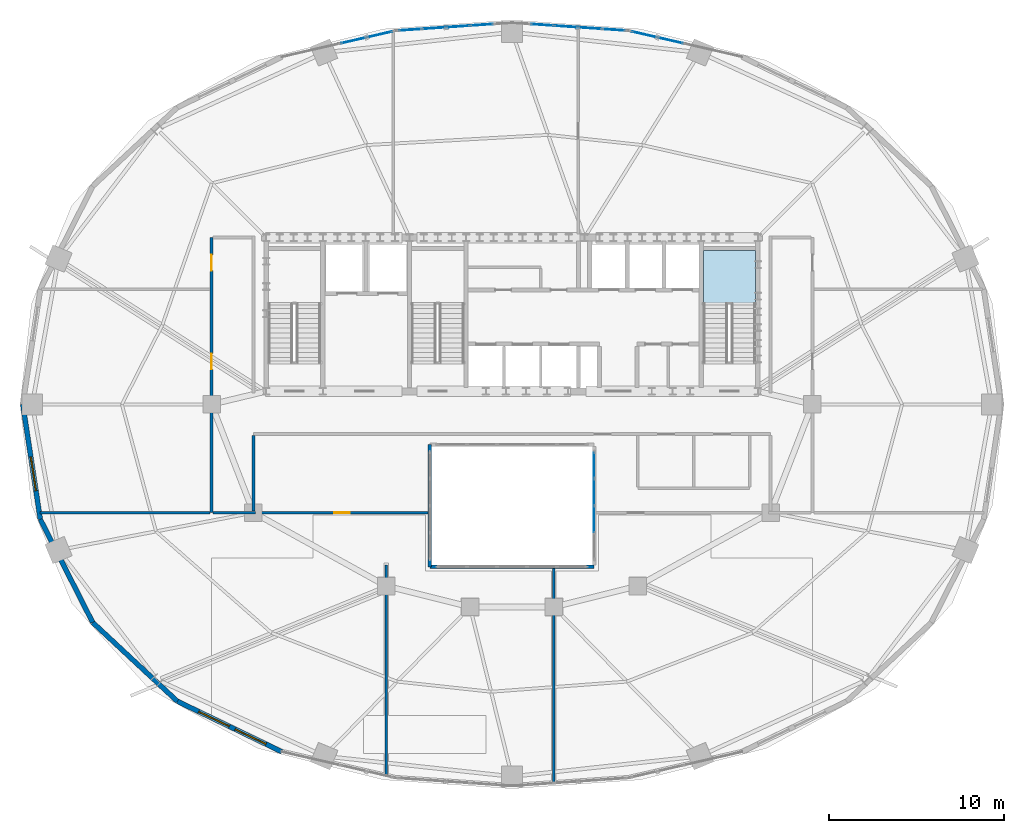
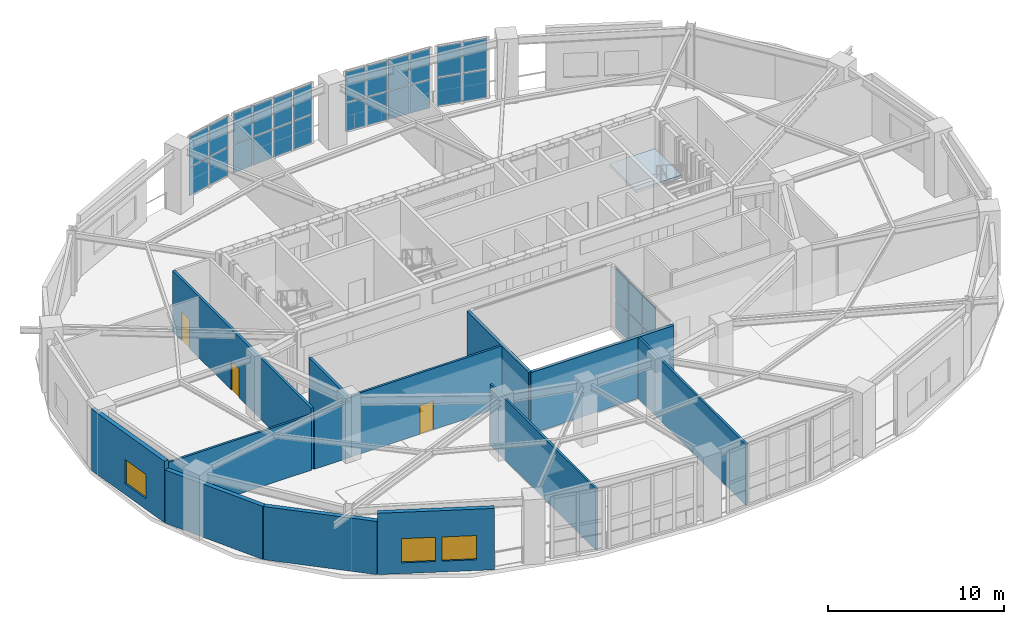
# One storey, part 10 of 16: 30 plates, 13 walls, 3 doors, 3 windows, 1 slab, 6 openings, 6 elements without a shape of their own.
"""IFC4 building model written with IfcOpenShell, lengths in metres."""

import ifcopenshell
import ifcopenshell.guid

model = None  # the IFC model being written
_history = None  # IfcOwnerHistory: only IFC2X3 demands one
_inside = {}  # id of a spatial element -> (the spatial element, [elements in it])
_under = {}  # id of a project, library or spatial element -> (it, [spatial elements below it])
_declared = {}  # id of a project -> (the project, [libraries it declares])
_typed = {}  # id of a type object -> (the type object, [elements of that type])
_made_of = {}  # id of a material, layer set ... -> (it, [elements and type objects made of it])


def new_model(schema):
    """Start an empty IFC model of exactly this schema.

    Asked for "IFC4X3", IfcOpenShell would pick the latest addendum, in which some entities
    have other attributes; the version numbers below select the first issue.
    IFC2X3 requires an IfcOwnerHistory on every rooted entity: one is made here for all.
    """
    global model, _history
    if schema == "IFC4X3":
        model = ifcopenshell.file(schema_version=(4, 3, 0, 0))
    else:
        model = ifcopenshell.file(schema=schema)
    _inside.clear()
    _under.clear()
    _declared.clear()
    _typed.clear()
    _made_of.clear()
    _history = None
    if model.schema == "IFC2X3":
        org = make("IfcOrganization", Name="unknown")
        user = make(
            "IfcPersonAndOrganization",
            ThePerson=make("IfcPerson", FamilyName="unknown"),
            TheOrganization=org,
        )
        app = make(
            "IfcApplication",
            ApplicationDeveloper=org,
            Version="unknown",
            ApplicationFullName="unknown",
            ApplicationIdentifier="unknown",
        )
        _history = make(
            "IfcOwnerHistory",
            OwningUser=user,
            OwningApplication=app,
            ChangeAction="ADDED",
            CreationDate=0,
        )
    return model


def make(cls, **values):
    """One entity of the class cls with the attributes given. An attribute that is None is left unset."""
    return model.create_entity(
        cls, **{name: value for name, value in values.items() if value is not None}
    )


def rooted(cls, **values):
    """An entity with a GlobalId (a new one), such as an element, a storey or a relation."""
    return make(cls, GlobalId=ifcopenshell.guid.new(), OwnerHistory=_history, **values)


def si_unit(unit_type, name, prefix=None):
    """IfcSIUnit, for example si_unit("LENGTHUNIT", "METRE", prefix="MILLI")."""
    return make("IfcSIUnit", UnitType=unit_type, Prefix=prefix, Name=name)


def assignment(units):
    """IfcUnitAssignment: the units of a project."""
    return None if units is None else make("IfcUnitAssignment", Units=units)


def point(xyz):
    """IfcCartesianPoint."""
    return None if xyz is None else make("IfcCartesianPoint", Coordinates=xyz)


def direction(xyz):
    """IfcDirection."""
    return None if xyz is None else make("IfcDirection", DirectionRatios=xyz)


def frame(location, z_axis=None, x_axis=None):
    """IfcAxis2Placement3D, a coordinate frame: its origin and axes. An axis left out is left unset."""
    return make(
        "IfcAxis2Placement3D",
        Location=point(location),
        Axis=direction(z_axis),
        RefDirection=direction(x_axis),
    )


def frame_2d(location, x_axis=None):
    """IfcAxis2Placement2D, a coordinate frame in the plane: its origin and x axis."""
    return make(
        "IfcAxis2Placement2D", Location=point(location), RefDirection=direction(x_axis)
    )


def origin():
    """The frame at (0, 0, 0) with its axes left unset."""
    return frame((0.0, 0.0, 0.0))


def origin_2d():
    """The frame at (0, 0) in the plane with its x axis left unset."""
    return frame_2d((0.0, 0.0))


def place(relative_to, where):
    """IfcLocalPlacement: puts the frame where relative to a parent placement (None: the world)."""
    return make(
        "IfcLocalPlacement", PlacementRelTo=relative_to, RelativePlacement=where
    )


def context(
    kind, dimensions, precision=None, world=None, true_north=None, identifier=None
):
    """IfcGeometricRepresentationContext, for example the 3D "Model" context."""
    return make(
        "IfcGeometricRepresentationContext",
        ContextIdentifier=identifier,
        ContextType=kind,
        CoordinateSpaceDimension=dimensions,
        Precision=precision,
        WorldCoordinateSystem=world,
        TrueNorth=true_north,
    )


def subcontext(parent, identifier, kind, view, scale=None):
    """IfcGeometricRepresentationSubContext, for example "Body" below "Model"."""
    return make(
        "IfcGeometricRepresentationSubContext",
        ContextIdentifier=identifier,
        ContextType=kind,
        ParentContext=parent,
        TargetScale=scale,
        TargetView=view,
    )


def project(units=None, contexts=None):
    """IfcProject with its units and contexts."""
    return rooted(
        "IfcProject",
        Name="project",
        RepresentationContexts=contexts,
        UnitsInContext=assignment(units),
    )


def spatial(cls, under=None, at=None, **own):
    """A site, building, storey or space (cls), placed at a placement, below another one or the project."""
    s = rooted(cls, ObjectPlacement=at, **own)
    if under is not None:
        _under.setdefault(under.id(), (under, []))[1].append(s)
    return s


def polyline(points):
    """IfcPolyline through the points."""
    return make("IfcPolyline", Points=[point(p) for p in points])


def profile(cls, at=None, kind="AREA", **sizes):
    """A parametric profile (cls). Its sizes go by their IFC names, for example OverallWidth=200.0."""
    return make(cls, ProfileType=kind, Position=at, **sizes)


def rectangle(**sizes):
    """IfcRectangleProfileDef."""
    return profile("IfcRectangleProfileDef", **sizes)


def outline(outer, holes=None, kind="AREA"):
    """IfcArbitraryClosedProfileDef: a profile drawn as a closed curve; with holes, ...WithVoids."""
    if holes is None:
        return make("IfcArbitraryClosedProfileDef", ProfileType=kind, OuterCurve=outer)
    return make(
        "IfcArbitraryProfileDefWithVoids",
        ProfileType=kind,
        OuterCurve=outer,
        InnerCurves=holes,
    )


def extrude(swept, where, along, depth):
    """IfcExtrudedAreaSolid: the profile swept, set in the frame where, extruded along a direction by depth."""
    return make(
        "IfcExtrudedAreaSolid",
        SweptArea=swept,
        Position=where,
        ExtrudedDirection=direction(along),
        Depth=depth,
    )


def shape(context_of_items, identifier, shape_type, items):
    """IfcShapeRepresentation: the items that make up one representation, for example the "Body"."""
    return make(
        "IfcShapeRepresentation",
        ContextOfItems=context_of_items,
        RepresentationIdentifier=identifier,
        RepresentationType=shape_type,
        Items=items,
    )


def material(Name=None, Category=None):
    """IfcMaterial."""
    return make("IfcMaterial", Name=Name, Category=Category)


def layer(
    of_material, thickness, ventilated=None, Name=None, Category=None, Priority=None
):
    """IfcMaterialLayer: one layer of a wall or slab, of a material (None: an air gap)."""
    return make(
        "IfcMaterialLayer",
        Material=of_material,
        LayerThickness=thickness,
        IsVentilated=ventilated,
        Name=Name,
        Category=Category,
        Priority=Priority,
    )


def layer_set(layers, Name=None):
    """IfcMaterialLayerSet."""
    return make("IfcMaterialLayerSet", MaterialLayers=layers, LayerSetName=Name)


def made_of(thing, what):
    """Note that an element or type object is made of a material, layer set ...; save() writes the relation."""
    if what is not None:
        _made_of.setdefault(what.id(), (what, []))[1].append(thing)
    return thing


def type_object(cls, material=None, **own):
    """A type object (cls), such as IfcWallType, which elements share."""
    return made_of(rooted(cls, **own), material)


def element(
    cls,
    number,
    at=None,
    inside=None,
    cuts=None,
    type_object=None,
    material=None,
    context=None,
    identifier="Body",
    shape_type=None,
    held_by="IfcProductDefinitionShape",
    body=None,
    shapes=None,
    **own,
):
    """One element of the class cls, such as IfcWall. Its Tag is "e" and its number.

    at: its placement. inside: the storey or other place that contains it. cuts: it is an
    opening in that element (IfcRelVoidsElement). A single representation is given by context,
    identifier, shape_type and body (its items); several are given by shapes. held_by: the class
    of the entity that holds the representations. save() writes the other relations.
    """
    e = rooted(cls, Tag="e%d" % number, ObjectPlacement=at, **own)
    if body is not None:
        shapes = [shape(context, identifier, shape_type, body)]
    if shapes is not None:
        e.Representation = make(held_by, Representations=shapes)
    if inside is not None:
        _inside.setdefault(inside.id(), (inside, []))[1].append(e)
    if cuts is not None:
        rooted(
            "IfcRelVoidsElement", RelatingBuildingElement=cuts, RelatedOpeningElement=e
        )
    if type_object is not None:
        _typed.setdefault(type_object.id(), (type_object, []))[1].append(e)
    return made_of(e, material)


def fill(opening, filler):
    """IfcRelFillsElement: the door or window that sits in an opening."""
    return rooted(
        "IfcRelFillsElement",
        RelatingOpeningElement=opening,
        RelatedBuildingElement=filler,
    )


def aggregate(whole, parts):
    """IfcRelAggregates: a whole, such as a stair, and the parts it consists of."""
    return rooted("IfcRelAggregates", RelatingObject=whole, RelatedObjects=parts)


def save(model, path):
    """Write the relations noted so far, then the file.

    IfcRelAggregates (storeys below a building ...), IfcRelContainedInSpatialStructure (elements
    in a storey), IfcRelDefinesByType, IfcRelAssociatesMaterial and IfcRelDeclares: one each for
    every whole, place, type object, material and project.
    """
    for whole, parts in _under.values():
        aggregate(whole, parts)
    for where, things in _inside.values():
        rooted(
            "IfcRelContainedInSpatialStructure",
            RelatedElements=things,
            RelatingStructure=where,
        )
    for kind, things in _typed.values():
        rooted("IfcRelDefinesByType", RelatedObjects=things, RelatingType=kind)
    for what, things in _made_of.values():
        rooted("IfcRelAssociatesMaterial", RelatedObjects=things, RelatingMaterial=what)
    for by, libraries in _declared.values():
        rooted("IfcRelDeclares", RelatingContext=by, RelatedDefinitions=libraries)
    model.write(path)


model = new_model("IFC4")

# Units and contexts
model_context = context("Model", 3, precision=1e-05, world=origin(), true_north=direction((0.0, 1.0)))
body_context = subcontext(model_context, "Body", "Model", "MODEL_VIEW")
ifc_project = project(units=[si_unit("LENGTHUNIT", "METRE"), si_unit("AREAUNIT", "SQUARE_METRE"), si_unit("VOLUMEUNIT", "CUBIC_METRE"), si_unit("PLANEANGLEUNIT", "RADIAN"), si_unit("MASSUNIT", "GRAM", prefix="KILO")], contexts=[model_context])

# Site, building, storey
site_placement = place(None, origin())
site = spatial("IfcSite", under=ifc_project, at=site_placement, CompositionType="ELEMENT")
building_placement = place(site_placement, origin())
building = spatial("IfcBuilding", under=site, at=building_placement, Name="Haldorwick Loom Tower", CompositionType="ELEMENT")
storey_placement = place(building_placement, frame((0.0, 0.0, 200.35009765625)))
storey = spatial("IfcBuildingStorey", under=building, at=storey_placement, Name="L54", CompositionType="ELEMENT", Elevation=200.35009765625)

# Curtain wall, plates
ifc_material_1 = material(Name="Thermally Broken Anodized Aluminium Curtain Wall Framing", Category="aluminium")
curtain_wall_type_1 = type_object("IfcCurtainWallType", Name="ARC-CW-03", PredefinedType="NOTDEFINED", material=ifc_material_1)
curtain_wall_1_placement = place(storey_placement, origin())
curtain_wall_1 = element("IfcCurtainWall", 1, at=curtain_wall_1_placement, inside=storey, type_object=curtain_wall_type_1, Name="L54 Atrium Glazed Screen E", PredefinedType="NOTDEFINED")
ifc_material_2 = material(Name="Triple-Glazed Low-E Argon Insulated Glazing Unit", Category="glass")
ifc_layer_1 = layer(ifc_material_2, 0.04296875, Name="Triple-Glazed Low-E Argon Insulated Glazing Unit", Category="glass")
ifc_layer_set_1 = layer_set([ifc_layer_1], Name="Triple-Glazed Low-E Argon Insulated Glazing Unit")
plate_type_1 = type_object("IfcPlateType", Name="ARC-CWP-03", PredefinedType="CURTAIN_PANEL", material=ifc_layer_set_1)
plate_1_placement = place(storey_placement, frame((40.699951171875, 22.508544921875, 0.06591796875), z_axis=(0.0, 0.0, 1.0), x_axis=(0.0, -1.0, 0.0)))
plate_1 = element("IfcPlate", 2, at=plate_1_placement, type_object=plate_type_1, Name="CW-03 panel 1.1", PredefinedType="CURTAIN_PANEL", context=body_context, shape_type="SweptSolid", body=[
    extrude(rectangle(XDim=1.450927734375, YDim=0.04296875, at=origin_2d()), origin(), (0.0, 0.0, 1.0), 1.90087890625),
])
plate_2_placement = place(storey_placement, frame((40.699951171875, 22.508544921875, 2.03271484375), z_axis=(0.0, 0.0, 1.0), x_axis=(0.0, -1.0, 0.0)))
plate_2 = element("IfcPlate", 3, at=plate_2_placement, type_object=plate_type_1, Name="CW-03 panel 1.2", PredefinedType="CURTAIN_PANEL", context=body_context, shape_type="SweptSolid", body=[
    extrude(rectangle(XDim=1.450927734375, YDim=0.04296875, at=origin_2d()), origin(), (0.0, 0.0, 1.0), 2.160888671875),
])
plate_3_placement = place(storey_placement, frame((40.699951171875, 20.97509765625, 0.06591796875), z_axis=(0.0, 0.0, 1.0), x_axis=(0.0, -1.0, 0.0)))
plate_3 = element("IfcPlate", 4, at=plate_3_placement, type_object=plate_type_1, Name="CW-03 panel 2.1", PredefinedType="CURTAIN_PANEL", context=body_context, shape_type="SweptSolid", body=[
    extrude(rectangle(XDim=1.48388671875, YDim=0.04296875, at=origin_2d()), origin(), (0.0, 0.0, 1.0), 1.90087890625),
])
plate_4_placement = place(storey_placement, frame((40.699951171875, 20.97509765625, 2.03271484375), z_axis=(0.0, 0.0, 1.0), x_axis=(0.0, -1.0, 0.0)))
plate_4 = element("IfcPlate", 5, at=plate_4_placement, type_object=plate_type_1, Name="CW-03 panel 2.2", PredefinedType="CURTAIN_PANEL", context=body_context, shape_type="SweptSolid", body=[
    extrude(rectangle(XDim=1.48388671875, YDim=0.04296875, at=origin_2d()), origin(), (0.0, 0.0, 1.0), 2.160888671875),
])
plate_5_placement = place(storey_placement, frame((40.699951171875, 19.425048828125, 0.06591796875), z_axis=(0.0, 0.0, 1.0), x_axis=(0.0, -1.0, 0.0)))
plate_5 = element("IfcPlate", 6, at=plate_5_placement, type_object=plate_type_1, Name="CW-03 panel 3.1", PredefinedType="CURTAIN_PANEL", context=body_context, shape_type="SweptSolid", body=[
    extrude(rectangle(XDim=1.48388671875, YDim=0.04296875, at=origin_2d()), origin(), (0.0, 0.0, 1.0), 1.90087890625),
])
plate_6_placement = place(storey_placement, frame((40.699951171875, 19.425048828125, 2.03271484375), z_axis=(0.0, 0.0, 1.0), x_axis=(0.0, -1.0, 0.0)))
plate_6 = element("IfcPlate", 7, at=plate_6_placement, type_object=plate_type_1, Name="CW-03 panel 3.2", PredefinedType="CURTAIN_PANEL", context=body_context, shape_type="SweptSolid", body=[
    extrude(rectangle(XDim=1.48388671875, YDim=0.04296875, at=origin_2d()), origin(), (0.0, 0.0, 1.0), 2.160888671875),
])
aggregate(curtain_wall_1, [plate_1, plate_2, plate_3, plate_4, plate_5, plate_6])

curtain_wall_type_2 = type_object("IfcCurtainWallType", Name="ARC-CW-04", PredefinedType="NOTDEFINED", material=ifc_material_1)
curtain_wall_2_placement = place(storey_placement, origin())
curtain_wall_2 = element("IfcCurtainWall", 8, at=curtain_wall_2_placement, inside=storey, type_object=curtain_wall_type_2, Name="L54 Facade Curtain Wall CW-04 Bay 5", PredefinedType="NOTDEFINED")
ifc_layer_2 = layer(ifc_material_2, 0.0458984375, Name="Triple-Glazed Low-E Argon Insulated Glazing Unit", Category="glass")
ifc_layer_set_2 = layer_set([ifc_layer_2], Name="Triple-Glazed Low-E Argon Insulated Glazing Unit")
plate_type_2 = type_object("IfcPlateType", Name="ARC-CWP-04", PredefinedType="CURTAIN_PANEL", material=ifc_layer_set_2)
plate_7_placement = place(storey_placement, frame((45.067138671875, 46.834716796875, 0.072021484375), z_axis=(0.0, 0.0, 1.0), x_axis=(-0.974556585323, 0.224141611493, 0.0)))
plate_7 = element("IfcPlate", 9, at=plate_7_placement, type_object=plate_type_2, Name="CW-04 panel 1.1", PredefinedType="CURTAIN_PANEL", context=body_context, shape_type="SweptSolid", body=[
    extrude(rectangle(XDim=1.453857421875, YDim=0.0458984375, at=origin_2d()), origin(), (0.0, 0.0, 1.0), 1.94189453125),
])
plate_8_placement = place(storey_placement, frame((45.067138671875, 46.834716796875, 2.0859375), z_axis=(0.0, 0.0, 1.0), x_axis=(-0.974556585323, 0.224141611493, 0.0)))
plate_8 = element("IfcPlate", 10, at=plate_8_placement, type_object=plate_type_2, Name="CW-04 panel 1.2", PredefinedType="CURTAIN_PANEL", context=body_context, shape_type="SweptSolid", body=[
    extrude(rectangle(XDim=1.453857421875, YDim=0.0458984375, at=origin_2d()), origin(), (0.0, 0.0, 1.0), 2.10205078125),
])
plate_9_placement = place(storey_placement, frame((43.580322265625, 47.1767578125, 0.072021484375), z_axis=(0.0, 0.0, 1.0), x_axis=(-0.974556585323, 0.224141611493, 0.0)))
plate_9 = element("IfcPlate", 11, at=plate_9_placement, type_object=plate_type_2, Name="CW-04 panel 2.1", PredefinedType="CURTAIN_PANEL", context=body_context, shape_type="SweptSolid", body=[
    extrude(rectangle(XDim=1.453857421875, YDim=0.0458984375, at=origin_2d()), origin(), (0.0, 0.0, 1.0), 1.94189453125),
])
plate_10_placement = place(storey_placement, frame((43.580322265625, 47.1767578125, 2.0859375), z_axis=(0.0, 0.0, 1.0), x_axis=(-0.974556585323, 0.224141611493, 0.0)))
plate_10 = element("IfcPlate", 12, at=plate_10_placement, type_object=plate_type_2, Name="CW-04 panel 2.2", PredefinedType="CURTAIN_PANEL", context=body_context, shape_type="SweptSolid", body=[
    extrude(rectangle(XDim=1.453857421875, YDim=0.0458984375, at=origin_2d()), origin(), (0.0, 0.0, 1.0), 2.10205078125),
])
aggregate(curtain_wall_2, [plate_7, plate_8, plate_9, plate_10])

curtain_wall_3_placement = place(storey_placement, origin())
curtain_wall_3 = element("IfcCurtainWall", 13, at=curtain_wall_3_placement, inside=storey, type_object=curtain_wall_type_2, Name="L54 Facade Curtain Wall CW-04 Bay 6", PredefinedType="NOTDEFINED")
plate_11_placement = place(storey_placement, frame((41.8212890625, 47.445068359375, 0.072021484375), z_axis=(0.0, 0.0, 1.0), x_axis=(-0.997650196741, 0.068513392431, 0.0)))
plate_11 = element("IfcPlate", 14, at=plate_11_placement, type_object=plate_type_2, Name="CW-04 panel 1.1", PredefinedType="CURTAIN_PANEL", context=body_context, shape_type="SweptSolid", body=[
    extrude(rectangle(XDim=1.26806640625, YDim=0.0458984375, at=origin_2d()), origin(), (0.0, 0.0, 1.0), 1.94189453125),
])
plate_12_placement = place(storey_placement, frame((41.8212890625, 47.445068359375, 2.0859375), z_axis=(0.0, 0.0, 1.0), x_axis=(-0.997650196741, 0.068513392431, 0.0)))
plate_12 = element("IfcPlate", 15, at=plate_12_placement, type_object=plate_type_2, Name="CW-04 panel 1.2", PredefinedType="CURTAIN_PANEL", context=body_context, shape_type="SweptSolid", body=[
    extrude(rectangle(XDim=1.26806640625, YDim=0.0458984375, at=origin_2d()), origin(), (0.0, 0.0, 1.0), 2.10205078125),
])
plate_13_placement = place(storey_placement, frame((40.466552734375, 47.538330078125, 0.072021484375), z_axis=(0.0, 0.0, 1.0), x_axis=(-0.997650196741, 0.068513392431, 0.0)))
plate_13 = element("IfcPlate", 16, at=plate_13_placement, type_object=plate_type_2, Name="CW-04 panel 2.1", PredefinedType="CURTAIN_PANEL", context=body_context, shape_type="SweptSolid", body=[
    extrude(rectangle(XDim=1.303955078125, YDim=0.0458984375, at=origin_2d()), origin(), (0.0, 0.0, 1.0), 1.94189453125),
])
plate_14_placement = place(storey_placement, frame((40.466552734375, 47.538330078125, 2.0859375), z_axis=(0.0, 0.0, 1.0), x_axis=(-0.997650196741, 0.068513392431, 0.0)))
plate_14 = element("IfcPlate", 17, at=plate_14_placement, type_object=plate_type_2, Name="CW-04 panel 2.2", PredefinedType="CURTAIN_PANEL", context=body_context, shape_type="SweptSolid", body=[
    extrude(rectangle(XDim=1.303955078125, YDim=0.0458984375, at=origin_2d()), origin(), (0.0, 0.0, 1.0), 2.10205078125),
])
plate_15_placement = place(storey_placement, frame((39.09375, 47.632568359375, 0.072021484375), z_axis=(0.0, 0.0, 1.0), x_axis=(-0.997650196741, 0.068513392431, 0.0)))
plate_15 = element("IfcPlate", 18, at=plate_15_placement, type_object=plate_type_2, Name="CW-04 panel 3.1", PredefinedType="CURTAIN_PANEL", context=body_context, shape_type="SweptSolid", body=[
    extrude(rectangle(XDim=1.303955078125, YDim=0.0458984375, at=origin_2d()), origin(), (0.0, 0.0, 1.0), 1.94189453125),
])
plate_16_placement = place(storey_placement, frame((39.09375, 47.632568359375, 2.0859375), z_axis=(0.0, 0.0, 1.0), x_axis=(-0.997650196741, 0.068513392431, 0.0)))
plate_16 = element("IfcPlate", 19, at=plate_16_placement, type_object=plate_type_2, Name="CW-04 panel 3.2", PredefinedType="CURTAIN_PANEL", context=body_context, shape_type="SweptSolid", body=[
    extrude(rectangle(XDim=1.303955078125, YDim=0.0458984375, at=origin_2d()), origin(), (0.0, 0.0, 1.0), 2.10205078125),
])
plate_17_placement = place(storey_placement, frame((37.739013671875, 47.7255859375, 0.072021484375), z_axis=(0.0, 0.0, 1.0), x_axis=(-0.997650196741, 0.068513392431, 0.0)))
plate_17 = element("IfcPlate", 20, at=plate_17_placement, type_object=plate_type_2, Name="CW-04 panel 4.1", PredefinedType="CURTAIN_PANEL", context=body_context, shape_type="SweptSolid", body=[
    extrude(rectangle(XDim=1.26806640625, YDim=0.0458984375, at=origin_2d()), origin(), (0.0, 0.0, 1.0), 1.94189453125),
])
plate_18_placement = place(storey_placement, frame((37.739013671875, 47.7255859375, 2.0859375), z_axis=(0.0, 0.0, 1.0), x_axis=(-0.997650196741, 0.068513392431, 0.0)))
plate_18 = element("IfcPlate", 21, at=plate_18_placement, type_object=plate_type_2, Name="CW-04 panel 4.2", PredefinedType="CURTAIN_PANEL", context=body_context, shape_type="SweptSolid", body=[
    extrude(rectangle(XDim=1.26806640625, YDim=0.0458984375, at=origin_2d()), origin(), (0.0, 0.0, 1.0), 2.10205078125),
])
aggregate(curtain_wall_3, [plate_11, plate_12, plate_13, plate_14, plate_15, plate_16, plate_17, plate_18])

curtain_wall_4_placement = place(storey_placement, origin())
curtain_wall_4 = element("IfcCurtainWall", 22, at=curtain_wall_4_placement, inside=storey, type_object=curtain_wall_type_2, Name="L54 Facade Curtain Wall CW-04 Bay 7", PredefinedType="NOTDEFINED")
plate_19_placement = place(storey_placement, frame((34.260986328125, 47.7255859375, 0.072021484375), z_axis=(0.0, 0.0, 1.0), x_axis=(-0.997650196741, -0.068513392431, 0.0)))
plate_19 = element("IfcPlate", 23, at=plate_19_placement, type_object=plate_type_2, Name="CW-04 panel 1.1", PredefinedType="CURTAIN_PANEL", context=body_context, shape_type="SweptSolid", body=[
    extrude(rectangle(XDim=1.26806640625, YDim=0.0458984375, at=origin_2d()), origin(), (0.0, 0.0, 1.0), 1.94189453125),
])
plate_20_placement = place(storey_placement, frame((34.260986328125, 47.7255859375, 2.0859375), z_axis=(0.0, 0.0, 1.0), x_axis=(-0.997650196741, -0.068513392431, 0.0)))
plate_20 = element("IfcPlate", 24, at=plate_20_placement, type_object=plate_type_2, Name="CW-04 panel 1.2", PredefinedType="CURTAIN_PANEL", context=body_context, shape_type="SweptSolid", body=[
    extrude(rectangle(XDim=1.26806640625, YDim=0.0458984375, at=origin_2d()), origin(), (0.0, 0.0, 1.0), 2.10205078125),
])
plate_21_placement = place(storey_placement, frame((32.90625, 47.632568359375, 0.072021484375), z_axis=(0.0, 0.0, 1.0), x_axis=(-0.997650196741, -0.068513392431, 0.0)))
plate_21 = element("IfcPlate", 25, at=plate_21_placement, type_object=plate_type_2, Name="CW-04 panel 2.1", PredefinedType="CURTAIN_PANEL", context=body_context, shape_type="SweptSolid", body=[
    extrude(rectangle(XDim=1.303955078125, YDim=0.0458984375, at=origin_2d()), origin(), (0.0, 0.0, 1.0), 1.94189453125),
])
plate_22_placement = place(storey_placement, frame((32.90625, 47.632568359375, 2.0859375), z_axis=(0.0, 0.0, 1.0), x_axis=(-0.997650196741, -0.068513392431, 0.0)))
plate_22 = element("IfcPlate", 26, at=plate_22_placement, type_object=plate_type_2, Name="CW-04 panel 2.2", PredefinedType="CURTAIN_PANEL", context=body_context, shape_type="SweptSolid", body=[
    extrude(rectangle(XDim=1.303955078125, YDim=0.0458984375, at=origin_2d()), origin(), (0.0, 0.0, 1.0), 2.10205078125),
])
plate_23_placement = place(storey_placement, frame((31.533447265625, 47.538330078125, 0.072021484375), z_axis=(0.0, 0.0, 1.0), x_axis=(-0.997650196741, -0.068513392431, 0.0)))
plate_23 = element("IfcPlate", 27, at=plate_23_placement, type_object=plate_type_2, Name="CW-04 panel 3.1", PredefinedType="CURTAIN_PANEL", context=body_context, shape_type="SweptSolid", body=[
    extrude(rectangle(XDim=1.303955078125, YDim=0.0458984375, at=origin_2d()), origin(), (0.0, 0.0, 1.0), 1.94189453125),
])
plate_24_placement = place(storey_placement, frame((31.533447265625, 47.538330078125, 2.0859375), z_axis=(0.0, 0.0, 1.0), x_axis=(-0.997650196741, -0.068513392431, 0.0)))
plate_24 = element("IfcPlate", 28, at=plate_24_placement, type_object=plate_type_2, Name="CW-04 panel 3.2", PredefinedType="CURTAIN_PANEL", context=body_context, shape_type="SweptSolid", body=[
    extrude(rectangle(XDim=1.303955078125, YDim=0.0458984375, at=origin_2d()), origin(), (0.0, 0.0, 1.0), 2.10205078125),
])
plate_25_placement = place(storey_placement, frame((30.1787109375, 47.445068359375, 0.072021484375), z_axis=(0.0, 0.0, 1.0), x_axis=(-0.997650196741, -0.068513392431, 0.0)))
plate_25 = element("IfcPlate", 29, at=plate_25_placement, type_object=plate_type_2, Name="CW-04 panel 4.1", PredefinedType="CURTAIN_PANEL", context=body_context, shape_type="SweptSolid", body=[
    extrude(rectangle(XDim=1.26806640625, YDim=0.0458984375, at=origin_2d()), origin(), (0.0, 0.0, 1.0), 1.94189453125),
])
plate_26_placement = place(storey_placement, frame((30.1787109375, 47.445068359375, 2.0859375), z_axis=(0.0, 0.0, 1.0), x_axis=(-0.997650196741, -0.068513392431, 0.0)))
plate_26 = element("IfcPlate", 30, at=plate_26_placement, type_object=plate_type_2, Name="CW-04 panel 4.2", PredefinedType="CURTAIN_PANEL", context=body_context, shape_type="SweptSolid", body=[
    extrude(rectangle(XDim=1.26806640625, YDim=0.0458984375, at=origin_2d()), origin(), (0.0, 0.0, 1.0), 2.10205078125),
])
aggregate(curtain_wall_4, [plate_19, plate_20, plate_21, plate_22, plate_23, plate_24, plate_25, plate_26])

curtain_wall_5_placement = place(storey_placement, origin())
curtain_wall_5 = element("IfcCurtainWall", 31, at=curtain_wall_5_placement, inside=storey, type_object=curtain_wall_type_2, Name="L54 Facade Curtain Wall CW-04 Bay 8", PredefinedType="NOTDEFINED")
plate_27_placement = place(storey_placement, frame((28.419677734375, 47.1767578125, 0.072021484375), z_axis=(0.0, 0.0, 1.0), x_axis=(-0.974556585323, -0.224141611493, 0.0)))
plate_27 = element("IfcPlate", 32, at=plate_27_placement, type_object=plate_type_2, Name="CW-04 panel 1.1", PredefinedType="CURTAIN_PANEL", context=body_context, shape_type="SweptSolid", body=[
    extrude(rectangle(XDim=1.453857421875, YDim=0.0458984375, at=origin_2d()), origin(), (0.0, 0.0, 1.0), 1.94189453125),
])
plate_28_placement = place(storey_placement, frame((28.419677734375, 47.1767578125, 2.0859375), z_axis=(0.0, 0.0, 1.0), x_axis=(-0.974556585323, -0.224141611493, 0.0)))
plate_28 = element("IfcPlate", 33, at=plate_28_placement, type_object=plate_type_2, Name="CW-04 panel 1.2", PredefinedType="CURTAIN_PANEL", context=body_context, shape_type="SweptSolid", body=[
    extrude(rectangle(XDim=1.453857421875, YDim=0.0458984375, at=origin_2d()), origin(), (0.0, 0.0, 1.0), 2.10205078125),
])
plate_29_placement = place(storey_placement, frame((26.932861328125, 46.834716796875, 0.072021484375), z_axis=(0.0, 0.0, 1.0), x_axis=(-0.974556585323, -0.224141611493, 0.0)))
plate_29 = element("IfcPlate", 34, at=plate_29_placement, type_object=plate_type_2, Name="CW-04 panel 2.1", PredefinedType="CURTAIN_PANEL", context=body_context, shape_type="SweptSolid", body=[
    extrude(rectangle(XDim=1.453857421875, YDim=0.0458984375, at=origin_2d()), origin(), (0.0, 0.0, 1.0), 1.94189453125),
])
plate_30_placement = place(storey_placement, frame((26.932861328125, 46.834716796875, 2.0859375), z_axis=(0.0, 0.0, 1.0), x_axis=(-0.974556585323, -0.224141611493, 0.0)))
plate_30 = element("IfcPlate", 35, at=plate_30_placement, type_object=plate_type_2, Name="CW-04 panel 2.2", PredefinedType="CURTAIN_PANEL", context=body_context, shape_type="SweptSolid", body=[
    extrude(rectangle(XDim=1.453857421875, YDim=0.0458984375, at=origin_2d()), origin(), (0.0, 0.0, 1.0), 2.10205078125),
])
aggregate(curtain_wall_5, [plate_27, plate_28, plate_29, plate_30])

# Stair, slab
ifc_material_3 = material(Name="Concrete C40 (40 MPa)", Category="concrete")
stair_type = type_object("IfcStairType", Name="STR-STR-CORE", PredefinedType="HALF_TURN_STAIR", material=ifc_material_3)
stair_placement = place(storey_placement, origin())
stair = element("IfcStair", 36, at=stair_placement, inside=storey, type_object=stair_type, Name="L54 Exit Stair ST-02", PredefinedType="HALF_TURN_STAIR")
ifc_layer_3 = layer(ifc_material_3, 0.199951171875, Name="Concrete C40 (40 MPa)", Category="concrete")
ifc_layer_set_3 = layer_set([ifc_layer_3], Name="Concrete C40 (40 MPa)")
slab_type = type_object("IfcSlabType", Name="STR-SLB-LAND200", PredefinedType="LANDING", material=ifc_layer_set_3)
slab_placement = place(storey_placement, frame((0.0, 0.0, 2.0498046875)))
slab = element("IfcSlab", 37, at=slab_placement, type_object=slab_type, Name="ST-02 landing 1", PredefinedType="LANDING", context=body_context, shape_type="SweptSolid", body=[
    extrude(outline(polyline([(49.949951171875, 31.760009765625), (49.949951171875, 34.800048828125), (46.949951171875, 34.800048828125), (46.949951171875, 31.760009765625), (49.949951171875, 31.760009765625)])), origin(), (0.0, 0.0, 1.0), 0.2001953125),
])
aggregate(stair, [slab])

# Wall, opening, window
ifc_material_4 = material(Name="Pressed Clay Face Brick and Insulated Masonry Backup Assembly", Category="masonry")
ifc_layer_4 = layer(ifc_material_4, 0.280029296875, Name="Pressed Clay Face Brick and Insulated Masonry Backup Assembly", Category="masonry")
ifc_layer_set_4 = layer_set([ifc_layer_4], Name="Pressed Clay Face Brick and Insulated Masonry Backup Assembly")
wall_type_1 = type_object("IfcWallType", Name="ARC-WL-EXT280", PredefinedType="STANDARD", material=ifc_layer_set_4)
wall_1_placement = place(storey_placement, frame((7.99365234375, 26.0, 0.0), z_axis=(0.0, 0.0, 1.0), x_axis=(0.150467697578, -0.988614926038, 0.0)))
wall_1 = element("IfcWall", 38, at=wall_1_placement, inside=storey, type_object=wall_type_1, Name="L54 Brick Pier and Spandrel Wall 13", PredefinedType="STANDARD", context=body_context, shape_type="SweptSolid", body=[
    extrude(rectangle(XDim=6.66064453125, YDim=0.280029296875, at=frame_2d((3.330322265625, 0.0))), origin(), (0.0, 0.0, 1.0), 4.260009765625),
])
opening_1_placement = place(wall_1_placement, frame((3.047119140625, 0.0, 0.75)))
opening_1 = element("IfcOpeningElement", 39, at=opening_1_placement, cuts=wall_1, Name="Opening W-04B", PredefinedType="OPENING", context=body_context, shape_type="SweptSolid", body=[
    extrude(rectangle(XDim=1.949951171875, YDim=1.679931640625, at=frame_2d((0.97509765625, 0.83984375))), frame((0.0, 0.14990234375, 0.0), z_axis=(0.0, -1.0, 0.0), x_axis=(1.0, 0.0, 0.0)), (0.0, 0.0, 1.0), 0.300048828125),
])
window_type = type_object("IfcWindowType", Name="ARC-WIN-W195", PartitioningType="SINGLE_PANEL", PredefinedType="WINDOW", material=ifc_material_2)
window_1_placement = place(opening_1_placement, origin())
window_1 = element("IfcWindow", 40, at=window_1_placement, inside=storey, type_object=window_type, Name="L54 Deep-Set Zone 7A Window 13", OverallHeight=1.679931640625, OverallWidth=1.949951171875, PartitioningType="SINGLE_PANEL", PredefinedType="WINDOW", context=body_context, shape_type="SweptSolid", body=[
    extrude(rectangle(XDim=1.949951171875, YDim=1.679931640625, at=frame_2d((0.97509765625, 0.83984375))), frame((0.0, 0.030029296875, 0.0), z_axis=(0.0, -1.0, 0.0), x_axis=(1.0, 0.0, 0.0)), (0.0, 0.0, 1.0), 0.06005859375),
])
fill(opening_1, window_1)

# Walls
wall_2_placement = place(storey_placement, frame((8.995849609375, 19.415283203125, 0.0), z_axis=(0.0, 0.0, 1.0), x_axis=(0.453032066879, -0.89149422117, 0.0)))
element("IfcWall", 41, at=wall_2_placement, inside=storey, type_object=wall_type_1, Name="L54 Brick Pier and Spandrel Wall 14", PredefinedType="STANDARD", context=body_context, shape_type="SweptSolid", body=[
    extrude(rectangle(XDim=6.618896484375, YDim=0.280029296875, at=frame_2d((3.3095703125, 0.0))), origin(), (0.0, 0.0, 1.0), 3.69091796875),
])
wall_3_placement = place(storey_placement, frame((11.994384765625, 13.5146484375, 0.0), z_axis=(0.0, 0.0, 1.0), x_axis=(0.731833707499, -0.681483253329, 0.0)))
element("IfcWall", 42, at=wall_3_placement, inside=storey, type_object=wall_type_1, Name="L54 Brick Pier and Spandrel Wall 15", PredefinedType="STANDARD", context=body_context, shape_type="SweptSolid", body=[
    extrude(rectangle(XDim=6.61865234375, YDim=0.280029296875, at=frame_2d((3.309326171875, 0.0))), origin(), (0.0, 0.0, 1.0), 3.69091796875),
])

# Wall, openings, windows
wall_4_placement = place(storey_placement, frame((16.838134765625, 9.004150390625, 0.0), z_axis=(0.0, 0.0, 1.0), x_axis=(0.900371236029, -0.435122554381, 0.0)))
wall_4 = element("IfcWall", 43, at=wall_4_placement, inside=storey, type_object=wall_type_1, Name="L54 Brick Pier and Spandrel Wall 16", PredefinedType="STANDARD", context=body_context, shape_type="SweptSolid", body=[
    extrude(rectangle(XDim=6.6533203125, YDim=0.280029296875, at=frame_2d((3.32666015625, 0.0))), origin(), (0.0, 0.0, 1.0), 4.260009765625),
])
opening_2_placement = place(wall_4_placement, frame((1.36083984375, 0.0, 0.75)))
opening_2 = element("IfcOpeningElement", 44, at=opening_2_placement, cuts=wall_4, Name="Opening W-04B", PredefinedType="OPENING", context=body_context, shape_type="SweptSolid", body=[
    extrude(rectangle(XDim=1.949951171875, YDim=1.679931640625, at=frame_2d((0.97509765625, 0.83984375))), frame((0.0, 0.14990234375, 0.0), z_axis=(0.0, -1.0, 0.0), x_axis=(1.0, 0.0, 0.0)), (0.0, 0.0, 1.0), 0.300048828125),
])
opening_3_placement = place(wall_4_placement, frame((3.682373046875, 0.0, 0.75)))
opening_3 = element("IfcOpeningElement", 45, at=opening_3_placement, cuts=wall_4, Name="Opening W-04B", PredefinedType="OPENING", context=body_context, shape_type="SweptSolid", body=[
    extrude(rectangle(XDim=1.949951171875, YDim=1.679931640625, at=frame_2d((0.97509765625, 0.83984375))), frame((0.0, 0.14990234375, 0.0), z_axis=(0.0, -1.0, 0.0), x_axis=(1.0, 0.0, 0.0)), (0.0, 0.0, 1.0), 0.300048828125),
])
window_2_placement = place(opening_2_placement, origin())
window_2 = element("IfcWindow", 46, at=window_2_placement, inside=storey, type_object=window_type, Name="L54 Deep-Set Zone 7A Window 16", OverallHeight=1.679931640625, OverallWidth=1.949951171875, PartitioningType="SINGLE_PANEL", PredefinedType="WINDOW", context=body_context, shape_type="SweptSolid", body=[
    extrude(rectangle(XDim=1.949951171875, YDim=1.679931640625, at=frame_2d((0.97509765625, 0.83984375))), frame((0.0, 0.030029296875, 0.0), z_axis=(0.0, -1.0, 0.0), x_axis=(1.0, 0.0, 0.0)), (0.0, 0.0, 1.0), 0.06005859375),
])
fill(opening_2, window_2)
window_3_placement = place(opening_3_placement, origin())
window_3 = element("IfcWindow", 47, at=window_3_placement, inside=storey, type_object=window_type, Name="L54 Deep-Set Zone 7A Window 16", OverallHeight=1.679931640625, OverallWidth=1.949951171875, PartitioningType="SINGLE_PANEL", PredefinedType="WINDOW", context=body_context, shape_type="SweptSolid", body=[
    extrude(rectangle(XDim=1.949951171875, YDim=1.679931640625, at=frame_2d((0.97509765625, 0.83984375))), frame((0.0, 0.030029296875, 0.0), z_axis=(0.0, -1.0, 0.0), x_axis=(1.0, 0.0, 0.0)), (0.0, 0.0, 1.0), 0.06005859375),
])
fill(opening_3, window_3)

# Wall, openings, doors
ifc_material_5 = material(Name="Fire-Rated Type X Gypsum Stud Assembly EI 60")
ifc_layer_5 = layer(ifc_material_5, 0.159912109375, Name="Fire-Rated Type X Gypsum Stud Assembly EI 60")
ifc_layer_set_5 = layer_set([ifc_layer_5], Name="Fire-Rated Type X Gypsum Stud Assembly EI 60")
wall_type_2 = type_object("IfcWallType", Name="ARC-WL-FIRE160", PredefinedType="PARTITIONING", material=ifc_layer_set_5)
wall_5_placement = place(storey_placement, frame((18.800048828125, 19.800048828125, 0.0), z_axis=(0.0, 0.0, 1.0), x_axis=(0.0, 1.0, 0.0)))
wall_5 = element("IfcWall", 48, at=wall_5_placement, inside=storey, type_object=wall_type_2, Name="L54 Interior Partition L54-CW0", PredefinedType="PARTITIONING", context=body_context, shape_type="SweptSolid", body=[
    extrude(rectangle(XDim=15.75, YDim=0.159912109375, at=frame_2d((7.875, 0.0))), origin(), (0.0, 0.0, 1.0), 4.244873046875),
])
opening_4_placement = place(wall_5_placement, frame((8.202880859375, 0.0, 0.0)))
opening_4 = element("IfcOpeningElement", 49, at=opening_4_placement, cuts=wall_5, Name="Opening D-FD60A", PredefinedType="OPENING", context=body_context, shape_type="SweptSolid", body=[
    extrude(rectangle(XDim=0.89990234375, YDim=2.0, at=frame_2d((0.449951171875, 1.0))), frame((0.0, 0.08984375, 0.0), z_axis=(0.0, -1.0, 0.0), x_axis=(1.0, 0.0, 0.0)), (0.0, 0.0, 1.0), 0.179931640625),
])
opening_5_placement = place(wall_5_placement, frame((13.858154296875, 0.0, 0.0)))
opening_5 = element("IfcOpeningElement", 50, at=opening_5_placement, cuts=wall_5, Name="Opening D-FD60A", PredefinedType="OPENING", context=body_context, shape_type="SweptSolid", body=[
    extrude(rectangle(XDim=0.89990234375, YDim=2.0, at=frame_2d((0.449951171875, 1.0))), frame((0.0, 0.08984375, 0.0), z_axis=(0.0, -1.0, 0.0), x_axis=(1.0, 0.0, 0.0)), (0.0, 0.0, 1.0), 0.179931640625),
])
ifc_material_6 = material(Name="Hollow Steel Fire Door Assembly", Category="steel")
door_type = type_object("IfcDoorType", Name="ARC-DR-FD60-90", OperationType="NOTDEFINED", PredefinedType="DOOR", material=ifc_material_6)
door_1_placement = place(opening_4_placement, frame((0.89990234375, 0.0, 0.0), z_axis=(0.0, 0.0, 1.0), x_axis=(-1.0, 0.0, 0.0)))
door_1 = element("IfcDoor", 51, at=door_1_placement, inside=storey, type_object=door_type, Name="L54 Mid-to-High Sky Observatory Salon 6 to L54 Central Transfer Corridor", OperationType="SINGLE_SWING_RIGHT", OverallHeight=2.0, OverallWidth=0.89990234375, PredefinedType="DOOR", context=body_context, shape_type="SweptSolid", body=[
    extrude(rectangle(XDim=0.89990234375, YDim=2.0, at=frame_2d((0.449951171875, 1.0))), frame((0.0, 0.02490234375, 0.0), z_axis=(0.0, -1.0, 0.0), x_axis=(1.0, 0.0, 0.0)), (0.0, 0.0, 1.0), 0.050048828125),
])
fill(opening_4, door_1)
door_2_placement = place(opening_5_placement, frame((0.89990234375, 0.0, 0.0), z_axis=(0.0, 0.0, 1.0), x_axis=(-1.0, 0.0, 0.0)))
door_2 = element("IfcDoor", 52, at=door_2_placement, inside=storey, type_object=door_type, Name="L54 Digital Study Office 9 to L54 Central Transfer Corridor Door", OperationType="SINGLE_SWING_RIGHT", OverallHeight=2.0, OverallWidth=0.89990234375, PredefinedType="DOOR", context=body_context, shape_type="SweptSolid", body=[
    extrude(rectangle(XDim=0.89990234375, YDim=2.0, at=frame_2d((0.449951171875, 1.0))), frame((0.0, 0.02490234375, 0.0), z_axis=(0.0, -1.0, 0.0), x_axis=(1.0, 0.0, 0.0)), (0.0, 0.0, 1.0), 0.050048828125),
])
fill(opening_5, door_2)

# Walls
wall_6_placement = place(storey_placement, frame((18.883056640625, 19.800048828125, 0.0), z_axis=(0.0, 0.0, 1.0), x_axis=(1.0, 0.0, 0.0)))
element("IfcWall", 53, at=wall_6_placement, inside=storey, type_object=wall_type_2, Name="L54 Interior Partition L54-CWS", PredefinedType="PARTITIONING", context=body_context, shape_type="SweptSolid", body=[
    extrude(rectangle(XDim=2.43701171875, YDim=0.159912109375, at=frame_2d((1.218505859375, 0.0))), origin(), (0.0, 0.0, 1.0), 3.822021484375),
])
wall_7_placement = place(storey_placement, frame((21.199951171875, 19.883056640625, 0.0), z_axis=(0.0, 0.0, 1.0), x_axis=(0.0, 1.0, 0.0)))
element("IfcWall", 54, at=wall_7_placement, inside=storey, type_object=wall_type_2, Name="L54 Interior Partition L54-CW1", PredefinedType="PARTITIONING", context=body_context, shape_type="SweptSolid", body=[
    extrude(rectangle(XDim=4.333984375, YDim=0.159912109375, at=frame_2d((2.1669921875, 0.0))), origin(), (0.0, 0.0, 1.0), 4.244873046875),
])
ifc_material_7 = material(Name="Fire-Rated Type X Gypsum Stud Assembly EI 120")
ifc_layer_6 = layer(ifc_material_7, 0.199951171875, Name="Fire-Rated Type X Gypsum Stud Assembly EI 120")
ifc_layer_set_6 = layer_set([ifc_layer_6], Name="Fire-Rated Type X Gypsum Stud Assembly EI 120")
wall_type_3 = type_object("IfcWallType", Name="ARC-WL-FIRE200", PredefinedType="PARTITIONING", material=ifc_layer_set_6)
wall_8_placement = place(storey_placement, frame((40.699951171875, 16.699951171875, 0.0), z_axis=(0.0, 0.0, 1.0), x_axis=(-1.0, 0.0, 0.0)))
element("IfcWall", 55, at=wall_8_placement, inside=storey, type_object=wall_type_3, Name="L54 Atrium Fire Wall", PredefinedType="PARTITIONING", context=body_context, shape_type="SweptSolid", body=[
    extrude(rectangle(XDim=9.39990234375, YDim=0.199951171875, at=frame_2d((4.699951171875, 0.0))), origin(), (0.0, 0.0, 1.0), 4.244873046875),
])
wall_9_placement = place(storey_placement, frame((31.300048828125, 16.699951171875, 0.0), z_axis=(0.0, 0.0, 1.0), x_axis=(0.0, 1.0, 0.0)))
element("IfcWall", 56, at=wall_9_placement, inside=storey, type_object=wall_type_3, Name="L54 Atrium Fire Wall", PredefinedType="PARTITIONING", context=body_context, shape_type="SweptSolid", body=[
    extrude(rectangle(XDim=7.0, YDim=0.199951171875, at=frame_2d((3.5, 0.0))), origin(), (0.0, 0.0, 1.0), 4.244873046875),
])
ifc_layer_7 = layer(ifc_material_5, 0.139892578125, Name="Fire-Rated Type X Gypsum Stud Assembly EI 60")
ifc_layer_set_7 = layer_set([ifc_layer_7], Name="Fire-Rated Type X Gypsum Stud Assembly EI 60")
wall_type_4 = type_object("IfcWallType", Name="ARC-WL-PART140", PredefinedType="PARTITIONING", material=ifc_layer_set_7)
wall_10_placement = place(storey_placement, frame((28.800048828125, 4.781982421875, 0.0), z_axis=(0.0, 0.0, 1.0), x_axis=(0.0, 1.0, 0.0)))
element("IfcWall", 57, at=wall_10_placement, inside=storey, type_object=wall_type_4, Name="L54 Interior Partition L54-S-0", PredefinedType="PARTITIONING", context=body_context, shape_type="SweptSolid", body=[
    extrude(rectangle(XDim=12.01806640625, YDim=0.139892578125, at=frame_2d((6.009033203125, 0.0))), origin(), (0.0, 0.0, 1.0), 4.244873046875),
])
wall_11_placement = place(storey_placement, frame((38.39990234375, 4.364990234375, 0.0), z_axis=(0.0, 0.0, 1.0), x_axis=(0.0, 1.0, 0.0)))
element("IfcWall", 58, at=wall_11_placement, inside=storey, type_object=wall_type_4, Name="L54 Interior Partition L54-S-1", PredefinedType="PARTITIONING", context=body_context, shape_type="SweptSolid", body=[
    extrude(rectangle(XDim=12.23193359375, YDim=0.139892578125, at=frame_2d((6.115966796875, 0.0))), origin(), (0.0, 0.0, 1.0), 4.244873046875),
])
wall_12_placement = place(storey_placement, frame((8.98291015625, 19.800048828125, 0.0), z_axis=(0.0, 0.0, 1.0), x_axis=(1.0, 0.0, 0.0)))
element("IfcWall", 59, at=wall_12_placement, inside=storey, type_object=wall_type_4, Name="L54 Interior Partition L54-WL-S", PredefinedType="PARTITIONING", context=body_context, shape_type="SweptSolid", body=[
    extrude(rectangle(XDim=9.734130859375, YDim=0.139892578125, at=frame_2d((4.8671875, 0.0))), origin(), (0.0, 0.0, 1.0), 3.822021484375),
])

# Wall, opening, door
wall_13_placement = place(storey_placement, frame((21.320068359375, 19.800048828125, 0.0), z_axis=(0.0, 0.0, 1.0), x_axis=(1.0, 0.0, 0.0)))
wall_13 = element("IfcWall", 60, at=wall_13_placement, inside=storey, type_object=wall_type_4, Name="L54 Interior Partition L54-WL-S", PredefinedType="PARTITIONING", context=body_context, shape_type="SweptSolid", body=[
    extrude(rectangle(XDim=9.876953125, YDim=0.139892578125, at=frame_2d((4.9384765625, 0.0))), origin(), (0.0, 0.0, 1.0), 4.244873046875),
])
opening_6_placement = place(wall_13_placement, frame((4.49853515625, 0.0, 0.0)))
opening_6 = element("IfcOpeningElement", 61, at=opening_6_placement, cuts=wall_13, Name="Opening D-FD60A", PredefinedType="OPENING", context=body_context, shape_type="SweptSolid", body=[
    extrude(rectangle(XDim=0.89990234375, YDim=2.0, at=frame_2d((0.449951171875, 1.0))), frame((0.0, 0.079833984375, 0.0), z_axis=(0.0, -1.0, 0.0), x_axis=(1.0, 0.0, 0.0)), (0.0, 0.0, 1.0), 0.159912109375),
])
door_3_placement = place(opening_6_placement, origin())
door_3 = element("IfcDoor", 62, at=door_3_placement, inside=storey, type_object=door_type, Name="L54 Community Dining Hall 3 to Mid-to-High Sky Observatory Salon 1 Door", OperationType="SINGLE_SWING_RIGHT", OverallHeight=2.0, OverallWidth=0.89990234375, PredefinedType="DOOR", context=body_context, shape_type="SweptSolid", body=[
    extrude(rectangle(XDim=0.89990234375, YDim=2.0, at=frame_2d((0.449951171875, 1.0))), frame((0.0, 0.02490234375, 0.0), z_axis=(0.0, -1.0, 0.0), x_axis=(1.0, 0.0, 0.0)), (0.0, 0.0, 1.0), 0.050048828125),
])
fill(opening_6, door_3)

save(model, "model.ifc")
